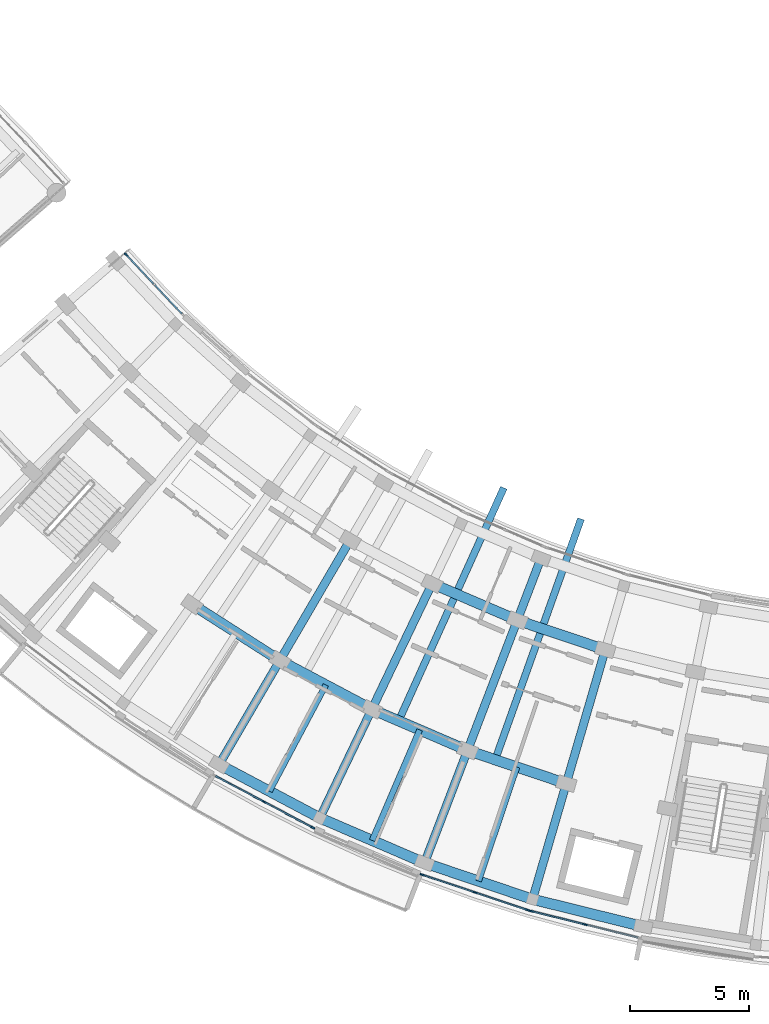
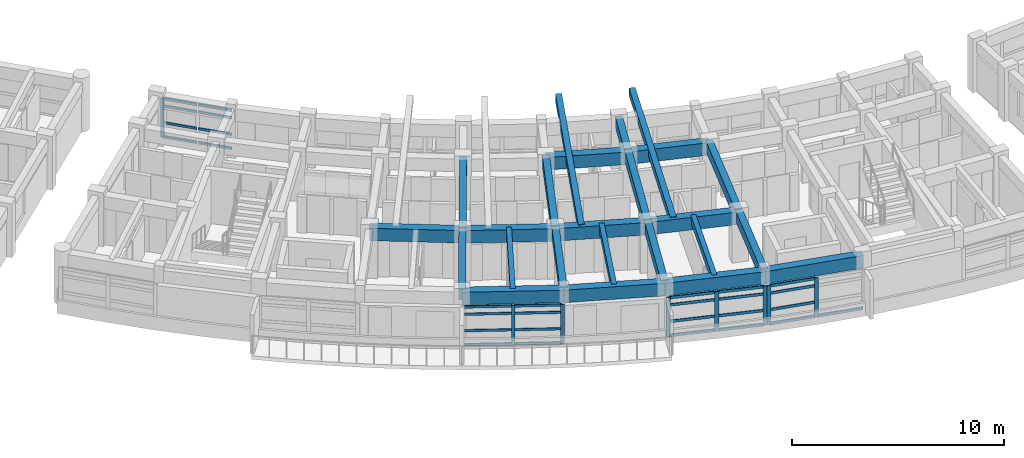
# One storey, part 11 of 55: 37 members, 24 beams, 4 elements without a shape of their own.
"""IFC4 building model written with IfcOpenShell, lengths in metres."""

import ifcopenshell
import ifcopenshell.guid

model = None  # the IFC model being written
_history = None  # IfcOwnerHistory: only IFC2X3 demands one
_inside = {}  # id of a spatial element -> (the spatial element, [elements in it])
_under = {}  # id of a project, library or spatial element -> (it, [spatial elements below it])
_declared = {}  # id of a project -> (the project, [libraries it declares])
_typed = {}  # id of a type object -> (the type object, [elements of that type])
_made_of = {}  # id of a material, layer set ... -> (it, [elements and type objects made of it])


def new_model(schema):
    """Start an empty IFC model of exactly this schema.

    Asked for "IFC4X3", IfcOpenShell would pick the latest addendum, in which some entities
    have other attributes; the version numbers below select the first issue.
    IFC2X3 requires an IfcOwnerHistory on every rooted entity: one is made here for all.
    """
    global model, _history
    if schema == "IFC4X3":
        model = ifcopenshell.file(schema_version=(4, 3, 0, 0))
    else:
        model = ifcopenshell.file(schema=schema)
    _inside.clear()
    _under.clear()
    _declared.clear()
    _typed.clear()
    _made_of.clear()
    _history = None
    if model.schema == "IFC2X3":
        org = make("IfcOrganization", Name="unknown")
        user = make(
            "IfcPersonAndOrganization",
            ThePerson=make("IfcPerson", FamilyName="unknown"),
            TheOrganization=org,
        )
        app = make(
            "IfcApplication",
            ApplicationDeveloper=org,
            Version="unknown",
            ApplicationFullName="unknown",
            ApplicationIdentifier="unknown",
        )
        _history = make(
            "IfcOwnerHistory",
            OwningUser=user,
            OwningApplication=app,
            ChangeAction="ADDED",
            CreationDate=0,
        )
    return model


def make(cls, **values):
    """One entity of the class cls with the attributes given. An attribute that is None is left unset."""
    return model.create_entity(
        cls, **{name: value for name, value in values.items() if value is not None}
    )


def rooted(cls, **values):
    """An entity with a GlobalId (a new one), such as an element, a storey or a relation."""
    return make(cls, GlobalId=ifcopenshell.guid.new(), OwnerHistory=_history, **values)


def si_unit(unit_type, name, prefix=None):
    """IfcSIUnit, for example si_unit("LENGTHUNIT", "METRE", prefix="MILLI")."""
    return make("IfcSIUnit", UnitType=unit_type, Prefix=prefix, Name=name)


def assignment(units):
    """IfcUnitAssignment: the units of a project."""
    return None if units is None else make("IfcUnitAssignment", Units=units)


def point(xyz):
    """IfcCartesianPoint."""
    return None if xyz is None else make("IfcCartesianPoint", Coordinates=xyz)


def direction(xyz):
    """IfcDirection."""
    return None if xyz is None else make("IfcDirection", DirectionRatios=xyz)


def frame(location, z_axis=None, x_axis=None):
    """IfcAxis2Placement3D, a coordinate frame: its origin and axes. An axis left out is left unset."""
    return make(
        "IfcAxis2Placement3D",
        Location=point(location),
        Axis=direction(z_axis),
        RefDirection=direction(x_axis),
    )


def frame_2d(location, x_axis=None):
    """IfcAxis2Placement2D, a coordinate frame in the plane: its origin and x axis."""
    return make(
        "IfcAxis2Placement2D", Location=point(location), RefDirection=direction(x_axis)
    )


def origin():
    """The frame at (0, 0, 0) with its axes left unset."""
    return frame((0.0, 0.0, 0.0))


def origin_2d():
    """The frame at (0, 0) in the plane with its x axis left unset."""
    return frame_2d((0.0, 0.0))


def place(relative_to, where):
    """IfcLocalPlacement: puts the frame where relative to a parent placement (None: the world)."""
    return make(
        "IfcLocalPlacement", PlacementRelTo=relative_to, RelativePlacement=where
    )


def context(
    kind, dimensions, precision=None, world=None, true_north=None, identifier=None
):
    """IfcGeometricRepresentationContext, for example the 3D "Model" context."""
    return make(
        "IfcGeometricRepresentationContext",
        ContextIdentifier=identifier,
        ContextType=kind,
        CoordinateSpaceDimension=dimensions,
        Precision=precision,
        WorldCoordinateSystem=world,
        TrueNorth=true_north,
    )


def subcontext(parent, identifier, kind, view, scale=None):
    """IfcGeometricRepresentationSubContext, for example "Body" below "Model"."""
    return make(
        "IfcGeometricRepresentationSubContext",
        ContextIdentifier=identifier,
        ContextType=kind,
        ParentContext=parent,
        TargetScale=scale,
        TargetView=view,
    )


def project(units=None, contexts=None):
    """IfcProject with its units and contexts."""
    return rooted(
        "IfcProject",
        Name="project",
        RepresentationContexts=contexts,
        UnitsInContext=assignment(units),
    )


def spatial(cls, under=None, at=None, **own):
    """A site, building, storey or space (cls), placed at a placement, below another one or the project."""
    s = rooted(cls, ObjectPlacement=at, **own)
    if under is not None:
        _under.setdefault(under.id(), (under, []))[1].append(s)
    return s


def profile(cls, at=None, kind="AREA", **sizes):
    """A parametric profile (cls). Its sizes go by their IFC names, for example OverallWidth=200.0."""
    return make(cls, ProfileType=kind, Position=at, **sizes)


def rectangle(**sizes):
    """IfcRectangleProfileDef."""
    return profile("IfcRectangleProfileDef", **sizes)


def extrude(swept, where, along, depth):
    """IfcExtrudedAreaSolid: the profile swept, set in the frame where, extruded along a direction by depth."""
    return make(
        "IfcExtrudedAreaSolid",
        SweptArea=swept,
        Position=where,
        ExtrudedDirection=direction(along),
        Depth=depth,
    )


def shape(context_of_items, identifier, shape_type, items):
    """IfcShapeRepresentation: the items that make up one representation, for example the "Body"."""
    return make(
        "IfcShapeRepresentation",
        ContextOfItems=context_of_items,
        RepresentationIdentifier=identifier,
        RepresentationType=shape_type,
        Items=items,
    )


def material(Name=None, Category=None):
    """IfcMaterial."""
    return make("IfcMaterial", Name=Name, Category=Category)


def material_profile(
    of_material, cross_section, Name=None, Category=None, Priority=None
):
    """IfcMaterialProfile: a cross section and its material."""
    return make(
        "IfcMaterialProfile",
        Name=Name,
        Material=of_material,
        Profile=cross_section,
        Priority=Priority,
        Category=Category,
    )


def profile_set(profiles, Name=None, composite=None):
    """IfcMaterialProfileSet."""
    return make(
        "IfcMaterialProfileSet",
        Name=Name,
        MaterialProfiles=profiles,
        CompositeProfile=composite,
    )


def made_of(thing, what):
    """Note that an element or type object is made of a material, layer set ...; save() writes the relation."""
    if what is not None:
        _made_of.setdefault(what.id(), (what, []))[1].append(thing)
    return thing


def type_object(cls, material=None, **own):
    """A type object (cls), such as IfcWallType, which elements share."""
    return made_of(rooted(cls, **own), material)


def element(
    cls,
    number,
    at=None,
    inside=None,
    cuts=None,
    type_object=None,
    material=None,
    context=None,
    identifier="Body",
    shape_type=None,
    held_by="IfcProductDefinitionShape",
    body=None,
    shapes=None,
    **own,
):
    """One element of the class cls, such as IfcWall. Its Tag is "e" and its number.

    at: its placement. inside: the storey or other place that contains it. cuts: it is an
    opening in that element (IfcRelVoidsElement). A single representation is given by context,
    identifier, shape_type and body (its items); several are given by shapes. held_by: the class
    of the entity that holds the representations. save() writes the other relations.
    """
    e = rooted(cls, Tag="e%d" % number, ObjectPlacement=at, **own)
    if body is not None:
        shapes = [shape(context, identifier, shape_type, body)]
    if shapes is not None:
        e.Representation = make(held_by, Representations=shapes)
    if inside is not None:
        _inside.setdefault(inside.id(), (inside, []))[1].append(e)
    if cuts is not None:
        rooted(
            "IfcRelVoidsElement", RelatingBuildingElement=cuts, RelatedOpeningElement=e
        )
    if type_object is not None:
        _typed.setdefault(type_object.id(), (type_object, []))[1].append(e)
    return made_of(e, material)


def aggregate(whole, parts):
    """IfcRelAggregates: a whole, such as a stair, and the parts it consists of."""
    return rooted("IfcRelAggregates", RelatingObject=whole, RelatedObjects=parts)


def save(model, path):
    """Write the relations noted so far, then the file.

    IfcRelAggregates (storeys below a building ...), IfcRelContainedInSpatialStructure (elements
    in a storey), IfcRelDefinesByType, IfcRelAssociatesMaterial and IfcRelDeclares: one each for
    every whole, place, type object, material and project.
    """
    for whole, parts in _under.values():
        aggregate(whole, parts)
    for where, things in _inside.values():
        rooted(
            "IfcRelContainedInSpatialStructure",
            RelatedElements=things,
            RelatingStructure=where,
        )
    for kind, things in _typed.values():
        rooted("IfcRelDefinesByType", RelatedObjects=things, RelatingType=kind)
    for what, things in _made_of.values():
        rooted("IfcRelAssociatesMaterial", RelatedObjects=things, RelatingMaterial=what)
    for by, libraries in _declared.values():
        rooted("IfcRelDeclares", RelatingContext=by, RelatedDefinitions=libraries)
    model.write(path)


model = new_model("IFC4")

# Units and contexts
model_context = context("Model", 3, precision=1e-05, world=origin(), true_north=direction((0.0, 1.0)))
body_context = subcontext(model_context, "Body", "Model", "MODEL_VIEW")
ifc_project = project(units=[si_unit("LENGTHUNIT", "METRE"), si_unit("AREAUNIT", "SQUARE_METRE"), si_unit("VOLUMEUNIT", "CUBIC_METRE"), si_unit("PLANEANGLEUNIT", "RADIAN"), si_unit("MASSUNIT", "GRAM", prefix="KILO")], contexts=[model_context])

# Site, building, storey
site_placement = place(None, origin())
site = spatial("IfcSite", under=ifc_project, at=site_placement, CompositionType="ELEMENT")
building_placement = place(site_placement, origin())
building = spatial("IfcBuilding", under=site, at=building_placement, Name="Zimvara Arc Housing Community", CompositionType="ELEMENT")
storey_placement = place(building_placement, frame((0.0, 0.0, 14.300048828125)))
storey = spatial("IfcBuildingStorey", under=building, at=storey_placement, Name="L04", CompositionType="ELEMENT", Elevation=14.300048828125)

# Beams
ifc_material_1 = material(Name="Concrete C40/50", Category="concrete")
ifc_material_profile_1 = material_profile(ifc_material_1, rectangle(XDim=0.25, YDim=0.449951171875, at=origin_2d()), Name="RC 250x450")
ifc_profile_set_1 = profile_set([ifc_material_profile_1], Name="Concrete C40/50")
beam_type_1 = type_object("IfcBeamType", Name="BM-RC-250x450", PredefinedType="JOIST", material=ifc_profile_set_1)
for number, where, z_axis, x_axis, name in (
    (1, (100.793212890625, 62.37060546875, 2.635009765625), (-0.46853732736, -0.883443701019, 0.0), (0.883443701019, -0.46853732736, 0.0), "bm:blkC:L04:joist:b4"),
    (2, (104.751953125, 60.473876953125, 2.635009765625), (-0.394946561353, -0.918704094731, 0.0), (0.918704094731, -0.394946561353, 0.0), "bm:blkC:L04:joist:b5"),
    (3, (108.85205078125, 58.906494140625, 2.635009765625), (-0.318622196545, -0.947881794249, 0.0), (0.947881794249, -0.318622196545, 0.0), "bm:blkC:L04:joist:b6"),
):
    element("IfcBeam", number, at=place(storey_placement, frame(where, z_axis=z_axis, x_axis=x_axis)), inside=storey, type_object=beam_type_1, Name=name, PredefinedType="JOIST", context=body_context, shape_type="SweptSolid", body=[
        extrude(rectangle(XDim=0.25, YDim=0.449951171875, at=origin_2d()), origin(), (0.0, 0.0, 1.0), 5.07568359375),
    ])
ifc_material_2 = material(Name="Concrete C40/50", Category="concrete")
ifc_material_profile_2 = material_profile(ifc_material_2, rectangle(XDim=0.300048828125, YDim=0.449951171875, at=origin_2d()), Name="RC 300x450")
ifc_profile_set_2 = profile_set([ifc_material_profile_2], Name="Concrete C40/50")
beam_type_2 = type_object("IfcBeamType", Name="BM-RC-300x450", PredefinedType="JOIST", material=ifc_profile_set_2)
for number, where, z_axis, x_axis, name in (
    (4, (103.849365234375, 60.822509765625, 2.6650390625), (0.411363625236, 0.911471320357, 0.0), (-0.911471320357, 0.411363625236, 0.0), "bm:blkC:L04:cant_in:b5"),
    (5, (107.92431640625, 59.180419921875, 2.6650390625), (0.335595863833, 0.942006059523, 0.0), (-0.942006059523, 0.335595863833, 0.0), "bm:blkC:L04:cant_in:b6"),
):
    element("IfcBeam", number, at=place(storey_placement, frame(where, z_axis=z_axis, x_axis=x_axis)), inside=storey, type_object=beam_type_2, Name=name, PredefinedType="JOIST", context=body_context, shape_type="SweptSolid", body=[
        extrude(rectangle(XDim=0.300048828125, YDim=0.449951171875, at=origin_2d()), origin(), (0.0, 0.0, 1.0), 10.81982421875),
    ])
ifc_material_3 = material(Name="Concrete C40/50", Category="concrete")
ifc_material_profile_3 = material_profile(ifc_material_3, rectangle(XDim=0.35009765625, YDim=0.60009765625, at=origin_2d()), Name="RC 350x600")
ifc_profile_set_3 = profile_set([ifc_material_profile_3], Name="Concrete C40/50")
beam_type_3 = type_object("IfcBeamType", Name="BM-RC-350x600", PredefinedType="BEAM", material=ifc_profile_set_3)
beam_1_placement = place(storey_placement, frame((101.8173828125, 68.4775390625, 2.56005859375), z_axis=(-0.504237574462, -0.863564976421, 0.0), x_axis=(0.863564976421, -0.504237574462, 0.0)))
element("IfcBeam", 6, at=beam_1_placement, inside=storey, type_object=beam_type_3, Name="bm:blkC:L04:rad:b4:r12", PredefinedType="BEAM", context=body_context, shape_type="SweptSolid", body=[
    extrude(rectangle(XDim=0.35009765625, YDim=0.60009765625, at=origin_2d()), origin(), (0.0, 0.0, 1.0), 5.8798828125),
])
beam_2_placement = place(storey_placement, frame((98.8525390625, 63.39990234375, 2.56005859375), z_axis=(-0.504196701544, -0.863588840915, 0.0), x_axis=(0.863588840915, -0.504196701544, 0.0)))
element("IfcBeam", 7, at=beam_2_placement, inside=storey, type_object=beam_type_3, Name="bm:blkC:L04:rad:b4:r23", PredefinedType="BEAM", context=body_context, shape_type="SweptSolid", body=[
    extrude(rectangle(XDim=0.35009765625, YDim=0.60009765625, at=origin_2d()), origin(), (0.0, 0.0, 1.0), 5.079833984375),
])
beam_3_placement = place(storey_placement, frame((105.2744140625, 66.644287109375, 2.56005859375), z_axis=(-0.432053349188, -0.901848048983, 0.0), x_axis=(0.901848048983, -0.432053349188, 0.0)))
element("IfcBeam", 8, at=beam_3_placement, inside=storey, type_object=beam_type_3, Name="bm:blkC:L04:rad:b5:r12", PredefinedType="BEAM", context=body_context, shape_type="SweptSolid", body=[
    extrude(rectangle(XDim=0.35009765625, YDim=0.60009765625, at=origin_2d()), origin(), (0.0, 0.0, 1.0), 5.880126953125),
])
beam_4_placement = place(storey_placement, frame((102.73388671875, 61.34130859375, 2.56005859375), z_axis=(-0.432098194978, -0.901826563091, 0.0), x_axis=(0.901826563091, -0.432098194978, 0.0)))
element("IfcBeam", 9, at=beam_4_placement, inside=storey, type_object=beam_type_3, Name="bm:blkC:L04:rad:b5:r23", PredefinedType="BEAM", context=body_context, shape_type="SweptSolid", body=[
    extrude(rectangle(XDim=0.35009765625, YDim=0.60009765625, at=origin_2d()), origin(), (0.0, 0.0, 1.0), 5.080078125),
])
beam_5_placement = place(storey_placement, frame((109.869384765625, 67.71435546875, 2.56005859375), z_axis=(-0.357126279724, -0.934056111982, 0.0), x_axis=(0.934056111982, -0.357126279724, 0.0)))
element("IfcBeam", 10, at=beam_5_placement, inside=storey, type_object=beam_type_3, Name="bm:blkC:L04:rad:b6:r01", PredefinedType="BEAM", context=body_context, shape_type="SweptSolid", body=[
    extrude(rectangle(XDim=0.35009765625, YDim=0.60009765625, at=origin_2d()), origin(), (0.0, 0.0, 1.0), 2.800048828125),
])
beam_6_placement = place(storey_placement, frame((108.869384765625, 65.098876953125, 2.56005859375), z_axis=(-0.357036247742, -0.934090529766, 0.0), x_axis=(0.934090529766, -0.357036247742, 0.0)))
element("IfcBeam", 11, at=beam_6_placement, inside=storey, type_object=beam_type_3, Name="bm:blkC:L04:rad:b6:r12", PredefinedType="BEAM", context=body_context, shape_type="SweptSolid", body=[
    extrude(rectangle(XDim=0.35009765625, YDim=0.60009765625, at=origin_2d()), origin(), (0.0, 0.0, 1.0), 5.8798828125),
])
beam_7_placement = place(storey_placement, frame((106.77001953125, 59.6064453125, 2.56005859375), z_axis=(-0.357078271386, -0.934074466038, 0.0), x_axis=(0.934074466038, -0.357078271386, 0.0)))
element("IfcBeam", 12, at=beam_7_placement, inside=storey, type_object=beam_type_3, Name="bm:blkC:L04:rad:b6:r23", PredefinedType="BEAM", context=body_context, shape_type="SweptSolid", body=[
    extrude(rectangle(XDim=0.35009765625, YDim=0.60009765625, at=origin_2d()), origin(), (0.0, 0.0, 1.0), 5.080078125),
])
beam_8_placement = place(storey_placement, frame((112.57861328125, 63.85205078125, 2.56005859375), z_axis=(-0.27964761269, -0.960102709462, 0.0), x_axis=(0.960102709462, -0.27964761269, 0.0)))
element("IfcBeam", 13, at=beam_8_placement, inside=storey, type_object=beam_type_3, Name="bm:blkC:L04:rad:b7:r12", PredefinedType="BEAM", context=body_context, shape_type="SweptSolid", body=[
    extrude(rectangle(XDim=0.35009765625, YDim=0.60009765625, at=origin_2d()), origin(), (0.0, 0.0, 1.0), 5.8798828125),
])
beam_9_placement = place(storey_placement, frame((110.934326171875, 58.206787109375, 2.56005859375), z_axis=(-0.279693649113, -0.960089299308, 0.0), x_axis=(0.960089299308, -0.279693649113, 0.0)))
element("IfcBeam", 14, at=beam_9_placement, inside=storey, type_object=beam_type_3, Name="bm:blkC:L04:rad:b7:r23", PredefinedType="BEAM", context=body_context, shape_type="SweptSolid", body=[
    extrude(rectangle(XDim=0.35009765625, YDim=0.60009765625, at=origin_2d()), origin(), (0.0, 0.0, 1.0), 5.080078125),
])
ifc_material_4 = material(Name="Concrete C40/50", Category="concrete")
ifc_material_profile_4 = material_profile(ifc_material_4, rectangle(XDim=0.43994140625, YDim=0.719970703125, at=origin_2d()), Name="RC 440x720")
ifc_profile_set_4 = profile_set([ifc_material_profile_4], Name="Concrete C40/50")
beam_type_4 = type_object("IfcBeamType", Name="BM-RC-440x720", PredefinedType="BEAM", material=ifc_profile_set_4)
for number, where, z_axis, x_axis, name in (
    (15, (105.2744140625, 66.644287109375, 2.5), (0.918708805961, -0.394935602155, 0.0), (0.394935602155, 0.918708805961, 0.0), "bm:blkC:L04:chord:r1:b5"),
    (16, (108.869384765625, 65.098876953125, 2.5), (0.947881689069, -0.31862250945, 0.0), (0.31862250945, 0.947881689069, 0.0), "bm:blkC:L04:chord:r1:b6"),
):
    element("IfcBeam", number, at=place(storey_placement, frame(where, z_axis=z_axis, x_axis=x_axis)), inside=storey, type_object=beam_type_4, Name=name, PredefinedType="BEAM", context=body_context, shape_type="SweptSolid", body=[
        extrude(rectangle(XDim=0.43994140625, YDim=0.719970703125, at=origin_2d()), origin(), (0.0, 0.0, 1.0), 3.9130859375),
    ])
beam_10_placement = place(storey_placement, frame((95.15234375, 65.76806640625, 2.5), z_axis=(0.842267363538, -0.539060004376, 0.0), x_axis=(0.539060004376, 0.842267363538, 0.0)))
element("IfcBeam", 17, at=beam_10_placement, inside=storey, type_object=beam_type_4, Name="bm:blkC:L04:chord:r2:b3", PredefinedType="BEAM", context=body_context, shape_type="SweptSolid", body=[
    extrude(rectangle(XDim=0.43994140625, YDim=0.719970703125, at=origin_2d()), origin(), (0.0, 0.0, 1.0), 4.39306640625),
])
beam_11_placement = place(storey_placement, frame((98.8525390625, 63.39990234375, 2.5), z_axis=(0.883433524437, -0.468556515162, 0.0), x_axis=(0.468556515162, 0.883433524437, 0.0)))
element("IfcBeam", 18, at=beam_11_placement, inside=storey, type_object=beam_type_4, Name="bm:blkC:L04:chord:r2:b4", PredefinedType="BEAM", context=body_context, shape_type="SweptSolid", body=[
    extrude(rectangle(XDim=0.43994140625, YDim=0.719970703125, at=origin_2d()), origin(), (0.0, 0.0, 1.0), 4.3935546875),
])
for number, where, z_axis, x_axis, name in (
    (19, (102.73388671875, 61.34130859375, 2.5), (0.918724840088, -0.394898301093, 0.0), (0.394898301093, 0.918724840088, 0.0), "bm:blkC:L04:chord:r2:b5"),
    (20, (106.77001953125, 59.6064453125, 2.5), (0.947891222174, -0.318594147665, 0.0), (0.318594147665, 0.947891222174, 0.0), "bm:blkC:L04:chord:r2:b6"),
):
    element("IfcBeam", number, at=place(storey_placement, frame(where, z_axis=z_axis, x_axis=x_axis)), inside=storey, type_object=beam_type_4, Name=name, PredefinedType="BEAM", context=body_context, shape_type="SweptSolid", body=[
        extrude(rectangle(XDim=0.43994140625, YDim=0.719970703125, at=origin_2d()), origin(), (0.0, 0.0, 1.0), 4.393310546875),
    ])
for number, where, z_axis, x_axis, name in (
    (21, (96.291259765625, 59.012939453125, 2.5), (0.883424523434, -0.468573485587, 0.0), (0.468573485587, 0.883424523434, 0.0), "bm:blkC:L04:chord:r3:b4"),
    (22, (100.538818359375, 56.760009765625, 2.5), (0.918724276228, -0.394899612901, 0.0), (0.394899612901, 0.918724276228, 0.0), "bm:blkC:L04:chord:r3:b5"),
):
    element("IfcBeam", number, at=place(storey_placement, frame(where, z_axis=z_axis, x_axis=x_axis)), inside=storey, type_object=beam_type_4, Name=name, PredefinedType="BEAM", context=body_context, shape_type="SweptSolid", body=[
        extrude(rectangle(XDim=0.43994140625, YDim=0.719970703125, at=origin_2d()), origin(), (0.0, 0.0, 1.0), 4.80810546875),
    ])
beam_12_placement = place(storey_placement, frame((104.9560546875, 54.861328125, 2.5), z_axis=(0.947877948153, -0.31863363822, 0.0), x_axis=(0.31863363822, 0.947877948153, 0.0)))
element("IfcBeam", 23, at=beam_12_placement, inside=storey, type_object=beam_type_4, Name="bm:blkC:L04:chord:r3:b6", PredefinedType="BEAM", context=body_context, shape_type="SweptSolid", body=[
    extrude(rectangle(XDim=0.43994140625, YDim=0.719970703125, at=origin_2d()), origin(), (0.0, 0.0, 1.0), 4.807861328125),
])
beam_13_placement = place(storey_placement, frame((109.513427734375, 53.329345703125, 2.5), z_axis=(0.970719165502, -0.240217196986, 0.0), x_axis=(0.240217196986, 0.970719165502, 0.0)))
element("IfcBeam", 24, at=beam_13_placement, inside=storey, type_object=beam_type_4, Name="bm:blkC:L04:chord:r3:b7", PredefinedType="BEAM", context=body_context, shape_type="SweptSolid", body=[
    extrude(rectangle(XDim=0.43994140625, YDim=0.719970703125, at=origin_2d()), origin(), (0.0, 0.0, 1.0), 4.808349609375),
])

# Curtain wall, member
ifc_material_5 = material(Name="Anodised Aluminium AW-6063", Category="aluminium")
curtain_wall_type_1 = type_object("IfcCurtainWallType", Name="CW-SYS-02", PredefinedType="USERDEFINED", material=ifc_material_5)
curtain_wall_1_placement = place(storey_placement, origin())
curtain_wall_1 = element("IfcCurtainWall", 25, at=curtain_wall_1_placement, inside=storey, type_object=curtain_wall_type_1, Name="cw:blkC:L04:in:b0", ObjectType="CURTAIN WALL", PredefinedType="USERDEFINED")
ifc_material_6 = material(Name="Anodised Aluminium AW-6063", Category="aluminium")
ifc_material_profile_5 = material_profile(ifc_material_6, rectangle(XDim=0.06494140625, YDim=0.179931640625, at=origin_2d()), Name="ALU 65x180")
ifc_profile_set_5 = profile_set([ifc_material_profile_5], Name="Anodised Aluminium AW-6063")
member_type_1 = type_object("IfcMemberType", Name="CWM-65x150", PredefinedType="MULLION", material=ifc_profile_set_5)
member_1_placement = place(storey_placement, frame((92.368408203125, 80.519287109375, 0.0), z_axis=(0.0, 0.0, 1.0), x_axis=(0.727293280483, 0.686326805658, 0.0)))
member_1 = element("IfcMember", 26, at=member_1_placement, type_object=member_type_1, Name="CW02 mullion 1", PredefinedType="MULLION", context=body_context, shape_type="SweptSolid", body=[
    extrude(rectangle(XDim=0.06494140625, YDim=0.179931640625, at=origin_2d()), origin(), (0.0, 0.0, 1.0), 2.25),
])

# Curtain wall, members
ifc_material_7 = material(Name="Anodised Aluminium AW-6063", Category="aluminium")
curtain_wall_type_2 = type_object("IfcCurtainWallType", Name="CW-SYS-06", PredefinedType="USERDEFINED", material=ifc_material_7)
curtain_wall_2_placement = place(storey_placement, origin())
curtain_wall_2 = element("IfcCurtainWall", 27, at=curtain_wall_2_placement, inside=storey, type_object=curtain_wall_type_2, Name="cw:blkC:L04:out:b4", ObjectType="CURTAIN WALL", PredefinedType="USERDEFINED")
member_2_placement = place(storey_placement, frame((98.180908203125, 57.445068359375, 0.0), z_axis=(0.0, 0.0, 1.0), x_axis=(0.468546917761, 0.883438614651, 0.0)))
member_2 = element("IfcMember", 28, at=member_2_placement, type_object=member_type_1, Name="CW06 mullion 2", PredefinedType="MULLION", context=body_context, shape_type="SweptSolid", body=[
    extrude(rectangle(XDim=0.06494140625, YDim=0.179931640625, at=origin_2d()), origin(), (0.0, 0.0, 1.0), 2.25),
])
member_3_placement = place(storey_placement, frame((100.240966796875, 56.3525390625, 0.0), z_axis=(0.0, 0.0, 1.0), x_axis=(0.468546917761, 0.883438614651, 0.0)))
member_3 = element("IfcMember", 29, at=member_3_placement, type_object=member_type_1, Name="CW06 mullion 3", PredefinedType="MULLION", context=body_context, shape_type="SweptSolid", body=[
    extrude(rectangle(XDim=0.06494140625, YDim=0.179931640625, at=origin_2d()), origin(), (0.0, 0.0, 1.0), 2.25),
])

ifc_material_8 = material(Name="Anodised Aluminium AW-6063", Category="aluminium")
curtain_wall_type_3 = type_object("IfcCurtainWallType", Name="CW-SYS-01", PredefinedType="USERDEFINED", material=ifc_material_8)
curtain_wall_3_placement = place(storey_placement, origin())
curtain_wall_3 = element("IfcCurtainWall", 30, at=curtain_wall_3_placement, inside=storey, type_object=curtain_wall_type_3, Name="cw:blkC:L04:out:b6", ObjectType="CURTAIN WALL", PredefinedType="USERDEFINED")
ifc_material_9 = material(Name="Anodised Aluminium AW-6063", Category="aluminium")
ifc_material_profile_6 = material_profile(ifc_material_9, rectangle(XDim=0.06494140625, YDim=0.195068359375, at=origin_2d()), Name="ALU 65x195")
ifc_profile_set_6 = profile_set([ifc_material_profile_6], Name="Anodised Aluminium AW-6063")
member_type_2 = type_object("IfcMemberType", Name="CWM-65x180", PredefinedType="MULLION", material=ifc_profile_set_6)
member_4_placement = place(storey_placement, frame((104.865234375, 54.36474609375, 0.0), z_axis=(0.0, 0.0, 1.0), x_axis=(0.318628583921, 0.947879647164, 0.0)))
member_4 = element("IfcMember", 31, at=member_4_placement, type_object=member_type_2, Name="CW01 mullion 1", PredefinedType="MULLION", context=body_context, shape_type="SweptSolid", body=[
    extrude(rectangle(XDim=0.06494140625, YDim=0.195068359375, at=origin_2d()), origin(), (0.0, 0.0, 1.0), 2.25),
])
member_5_placement = place(storey_placement, frame((107.07568359375, 53.621826171875, 0.0), z_axis=(0.0, 0.0, 1.0), x_axis=(0.318628583921, 0.947879647164, 0.0)))
member_5 = element("IfcMember", 32, at=member_5_placement, type_object=member_type_2, Name="CW01 mullion 2", PredefinedType="MULLION", context=body_context, shape_type="SweptSolid", body=[
    extrude(rectangle(XDim=0.06494140625, YDim=0.195068359375, at=origin_2d()), origin(), (0.0, 0.0, 1.0), 2.25),
])
member_6_placement = place(storey_placement, frame((109.2861328125, 52.87890625, 0.0), z_axis=(0.0, 0.0, 1.0), x_axis=(0.318628583921, 0.947879647164, 0.0)))
member_6 = element("IfcMember", 33, at=member_6_placement, type_object=member_type_2, Name="CW01 mullion 3", PredefinedType="MULLION", context=body_context, shape_type="SweptSolid", body=[
    extrude(rectangle(XDim=0.06494140625, YDim=0.195068359375, at=origin_2d()), origin(), (0.0, 0.0, 1.0), 2.25),
])

ifc_material_10 = material(Name="Anodised Aluminium AW-6063", Category="aluminium")
curtain_wall_type_4 = type_object("IfcCurtainWallType", Name="CW-SYS-03", PredefinedType="USERDEFINED", material=ifc_material_10)
curtain_wall_4_placement = place(storey_placement, origin())
curtain_wall_4 = element("IfcCurtainWall", 34, at=curtain_wall_4_placement, inside=storey, type_object=curtain_wall_type_4, Name="cw:blkC:L04:out:b7", ObjectType="CURTAIN WALL", PredefinedType="USERDEFINED")
member_7_placement = place(storey_placement, frame((109.46337890625, 52.8271484375, 0.0), z_axis=(0.0, 0.0, 1.0), x_axis=(0.240229711131, 0.970716068627, 0.0)))
member_7 = element("IfcMember", 35, at=member_7_placement, type_object=member_type_2, Name="CW03 mullion 1", PredefinedType="MULLION", context=body_context, shape_type="SweptSolid", body=[
    extrude(rectangle(XDim=0.06494140625, YDim=0.195068359375, at=origin_2d()), origin(), (0.0, 0.0, 1.0), 2.25),
])
member_8_placement = place(storey_placement, frame((111.72705078125, 52.266845703125, 0.0), z_axis=(0.0, 0.0, 1.0), x_axis=(0.240229711131, 0.970716068627, 0.0)))
member_8 = element("IfcMember", 36, at=member_8_placement, type_object=member_type_2, Name="CW03 mullion 2", PredefinedType="MULLION", context=body_context, shape_type="SweptSolid", body=[
    extrude(rectangle(XDim=0.06494140625, YDim=0.195068359375, at=origin_2d()), origin(), (0.0, 0.0, 1.0), 2.25),
])

# Member
ifc_material_11 = material(Name="Anodised Aluminium AW-6063", Category="aluminium")
ifc_material_profile_7 = material_profile(ifc_material_11, rectangle(XDim=0.06494140625, YDim=0.139892578125, at=origin_2d()), Name="ALU 65x140")
ifc_profile_set_7 = profile_set([ifc_material_profile_7], Name="Anodised Aluminium AW-6063")
member_type_3 = type_object("IfcMemberType", Name="CWT-65x120", PredefinedType="USERDEFINED", material=ifc_profile_set_7)
member_9_placement = place(storey_placement, frame((92.390625, 80.495849609375, 0.032470703125), z_axis=(0.686347817597, -0.727273451516, 0.0), x_axis=(0.727273451516, 0.686347817597, 0.0)))
member_9 = element("IfcMember", 37, at=member_9_placement, type_object=member_type_3, Name="CW02 transom 1.1", ObjectType="TRANSOM", PredefinedType="USERDEFINED", context=body_context, shape_type="SweptSolid", body=[
    extrude(rectangle(XDim=0.06494140625, YDim=0.139892578125, at=origin_2d()), origin(), (0.0, 0.0, 1.0), 1.664306640625),
])

member_10_placement = place(storey_placement, frame((92.390625, 80.495849609375, 0.849853515625), z_axis=(0.686347817597, -0.727273451516, 0.0), x_axis=(0.727273451516, 0.686347817597, 0.0)))
member_10 = element("IfcMember", 38, at=member_10_placement, type_object=member_type_3, Name="CW02 transom 1.2", ObjectType="TRANSOM", PredefinedType="USERDEFINED", context=body_context, shape_type="SweptSolid", body=[
    extrude(rectangle(XDim=0.06494140625, YDim=0.139892578125, at=origin_2d()), origin(), (0.0, 0.0, 1.0), 1.664306640625),
])

member_11_placement = place(storey_placement, frame((92.390625, 80.495849609375, 1.800048828125), z_axis=(0.686347817597, -0.727273451516, 0.0), x_axis=(0.727273451516, 0.686347817597, 0.0)))
member_11 = element("IfcMember", 39, at=member_11_placement, type_object=member_type_3, Name="CW02 transom 1.3", ObjectType="TRANSOM", PredefinedType="USERDEFINED", context=body_context, shape_type="SweptSolid", body=[
    extrude(rectangle(XDim=0.06494140625, YDim=0.139892578125, at=origin_2d()), origin(), (0.0, 0.0, 1.0), 1.664306640625),
])

member_12_placement = place(storey_placement, frame((92.390625, 80.495849609375, 2.217529296875), z_axis=(0.686347817597, -0.727273451516, 0.0), x_axis=(0.727273451516, 0.686347817597, 0.0)))
member_12 = element("IfcMember", 40, at=member_12_placement, type_object=member_type_3, Name="CW02 transom 1.4", ObjectType="TRANSOM", PredefinedType="USERDEFINED", context=body_context, shape_type="SweptSolid", body=[
    extrude(rectangle(XDim=0.06494140625, YDim=0.139892578125, at=origin_2d()), origin(), (0.0, 0.0, 1.0), 1.664306640625),
])

member_13_placement = place(storey_placement, frame((93.57763671875, 79.238037109375, 0.032470703125), z_axis=(0.686270219286, -0.727346675335, 0.0), x_axis=(0.727346675335, 0.686270219286, 0.0)))
member_13 = element("IfcMember", 41, at=member_13_placement, type_object=member_type_3, Name="CW02 transom 2.1", ObjectType="TRANSOM", PredefinedType="USERDEFINED", context=body_context, shape_type="SweptSolid", body=[
    extrude(rectangle(XDim=0.06494140625, YDim=0.139892578125, at=origin_2d()), origin(), (0.0, 0.0, 1.0), 1.664306640625),
])

member_14_placement = place(storey_placement, frame((93.57763671875, 79.238037109375, 0.849853515625), z_axis=(0.686270219286, -0.727346675335, 0.0), x_axis=(0.727346675335, 0.686270219286, 0.0)))
member_14 = element("IfcMember", 42, at=member_14_placement, type_object=member_type_3, Name="CW02 transom 2.2", ObjectType="TRANSOM", PredefinedType="USERDEFINED", context=body_context, shape_type="SweptSolid", body=[
    extrude(rectangle(XDim=0.06494140625, YDim=0.139892578125, at=origin_2d()), origin(), (0.0, 0.0, 1.0), 1.664306640625),
])

member_15_placement = place(storey_placement, frame((93.57763671875, 79.238037109375, 1.800048828125), z_axis=(0.686270219286, -0.727346675335, 0.0), x_axis=(0.727346675335, 0.686270219286, 0.0)))
member_15 = element("IfcMember", 43, at=member_15_placement, type_object=member_type_3, Name="CW02 transom 2.3", ObjectType="TRANSOM", PredefinedType="USERDEFINED", context=body_context, shape_type="SweptSolid", body=[
    extrude(rectangle(XDim=0.06494140625, YDim=0.139892578125, at=origin_2d()), origin(), (0.0, 0.0, 1.0), 1.664306640625),
])

member_16_placement = place(storey_placement, frame((93.57763671875, 79.238037109375, 2.217529296875), z_axis=(0.686270219286, -0.727346675335, 0.0), x_axis=(0.727346675335, 0.686270219286, 0.0)))
member_16 = element("IfcMember", 44, at=member_16_placement, type_object=member_type_3, Name="CW02 transom 2.4", ObjectType="TRANSOM", PredefinedType="USERDEFINED", context=body_context, shape_type="SweptSolid", body=[
    extrude(rectangle(XDim=0.06494140625, YDim=0.139892578125, at=origin_2d()), origin(), (0.0, 0.0, 1.0), 1.664306640625),
])

aggregate(curtain_wall_1, [member_1, member_9, member_10, member_11, member_12, member_13, member_14, member_15, member_16])

member_17_placement = place(storey_placement, frame((96.1494140625, 58.5224609375, 0.032470703125), z_axis=(0.883465479137, -0.468496261642, 0.0), x_axis=(0.468496261642, 0.883465479137, 0.0)))
member_17 = element("IfcMember", 45, at=member_17_placement, type_object=member_type_3, Name="CW06 transom 1.1", ObjectType="TRANSOM", PredefinedType="USERDEFINED", context=body_context, shape_type="SweptSolid", body=[
    extrude(rectangle(XDim=0.06494140625, YDim=0.139892578125, at=origin_2d()), origin(), (0.0, 0.0, 1.0), 2.266845703125),
])

member_18_placement = place(storey_placement, frame((96.1494140625, 58.5224609375, 0.849853515625), z_axis=(0.883465479137, -0.468496261642, 0.0), x_axis=(0.468496261642, 0.883465479137, 0.0)))
member_18 = element("IfcMember", 46, at=member_18_placement, type_object=member_type_3, Name="CW06 transom 1.2", ObjectType="TRANSOM", PredefinedType="USERDEFINED", context=body_context, shape_type="SweptSolid", body=[
    extrude(rectangle(XDim=0.06494140625, YDim=0.139892578125, at=origin_2d()), origin(), (0.0, 0.0, 1.0), 2.266845703125),
])

member_19_placement = place(storey_placement, frame((96.1494140625, 58.5224609375, 1.800048828125), z_axis=(0.883465479137, -0.468496261642, 0.0), x_axis=(0.468496261642, 0.883465479137, 0.0)))
member_19 = element("IfcMember", 47, at=member_19_placement, type_object=member_type_3, Name="CW06 transom 1.3", ObjectType="TRANSOM", PredefinedType="USERDEFINED", context=body_context, shape_type="SweptSolid", body=[
    extrude(rectangle(XDim=0.06494140625, YDim=0.139892578125, at=origin_2d()), origin(), (0.0, 0.0, 1.0), 2.266845703125),
])

member_20_placement = place(storey_placement, frame((96.1494140625, 58.5224609375, 2.217529296875), z_axis=(0.883465479137, -0.468496261642, 0.0), x_axis=(0.468496261642, 0.883465479137, 0.0)))
member_20 = element("IfcMember", 48, at=member_20_placement, type_object=member_type_3, Name="CW06 transom 1.4", ObjectType="TRANSOM", PredefinedType="USERDEFINED", context=body_context, shape_type="SweptSolid", body=[
    extrude(rectangle(XDim=0.06494140625, YDim=0.139892578125, at=origin_2d()), origin(), (0.0, 0.0, 1.0), 2.266845703125),
])

member_21_placement = place(storey_placement, frame((98.209716796875, 57.429931640625, 0.032470703125), z_axis=(0.883420900208, -0.468580316568, 0.0), x_axis=(0.468580316568, 0.883420900208, 0.0)))
member_21 = element("IfcMember", 49, at=member_21_placement, type_object=member_type_3, Name="CW06 transom 2.1", ObjectType="TRANSOM", PredefinedType="USERDEFINED", context=body_context, shape_type="SweptSolid", body=[
    extrude(rectangle(XDim=0.06494140625, YDim=0.139892578125, at=origin_2d()), origin(), (0.0, 0.0, 1.0), 2.266845703125),
])

member_22_placement = place(storey_placement, frame((98.209716796875, 57.429931640625, 0.849853515625), z_axis=(0.883420900208, -0.468580316568, 0.0), x_axis=(0.468580316568, 0.883420900208, 0.0)))
member_22 = element("IfcMember", 50, at=member_22_placement, type_object=member_type_3, Name="CW06 transom 2.2", ObjectType="TRANSOM", PredefinedType="USERDEFINED", context=body_context, shape_type="SweptSolid", body=[
    extrude(rectangle(XDim=0.06494140625, YDim=0.139892578125, at=origin_2d()), origin(), (0.0, 0.0, 1.0), 2.266845703125),
])

member_23_placement = place(storey_placement, frame((98.209716796875, 57.429931640625, 1.800048828125), z_axis=(0.883420900208, -0.468580316568, 0.0), x_axis=(0.468580316568, 0.883420900208, 0.0)))
member_23 = element("IfcMember", 51, at=member_23_placement, type_object=member_type_3, Name="CW06 transom 2.3", ObjectType="TRANSOM", PredefinedType="USERDEFINED", context=body_context, shape_type="SweptSolid", body=[
    extrude(rectangle(XDim=0.06494140625, YDim=0.139892578125, at=origin_2d()), origin(), (0.0, 0.0, 1.0), 2.266845703125),
])

member_24_placement = place(storey_placement, frame((98.209716796875, 57.429931640625, 2.217529296875), z_axis=(0.883420900208, -0.468580316568, 0.0), x_axis=(0.468580316568, 0.883420900208, 0.0)))
member_24 = element("IfcMember", 52, at=member_24_placement, type_object=member_type_3, Name="CW06 transom 2.4", ObjectType="TRANSOM", PredefinedType="USERDEFINED", context=body_context, shape_type="SweptSolid", body=[
    extrude(rectangle(XDim=0.06494140625, YDim=0.139892578125, at=origin_2d()), origin(), (0.0, 0.0, 1.0), 2.266845703125),
])

aggregate(curtain_wall_2, [member_2, member_3, member_17, member_18, member_19, member_20, member_21, member_22, member_23, member_24])

ifc_material_12 = material(Name="Anodised Aluminium AW-6063", Category="aluminium")
ifc_material_profile_8 = material_profile(ifc_material_12, rectangle(XDim=0.06494140625, YDim=0.155029296875, at=origin_2d()), Name="ALU 65x155")
ifc_profile_set_8 = profile_set([ifc_material_profile_8], Name="Anodised Aluminium AW-6063")
member_type_4 = type_object("IfcMemberType", Name="CWT-65x140", PredefinedType="USERDEFINED", material=ifc_profile_set_8)
member_25_placement = place(storey_placement, frame((104.89599609375, 54.3544921875, 0.032470703125), z_axis=(0.947872541471, -0.318649721678, 0.0), x_axis=(0.318649721678, 0.947872541471, 0.0)))
member_25 = element("IfcMember", 53, at=member_25_placement, type_object=member_type_4, Name="CW01 transom 1.1", ObjectType="TRANSOM", PredefinedType="USERDEFINED", context=body_context, shape_type="SweptSolid", body=[
    extrude(rectangle(XDim=0.06494140625, YDim=0.155029296875, at=origin_2d()), origin(), (0.0, 0.0, 1.0), 2.26708984375),
])

member_26_placement = place(storey_placement, frame((104.89599609375, 54.3544921875, 0.849853515625), z_axis=(0.947872541471, -0.318649721678, 0.0), x_axis=(0.318649721678, 0.947872541471, 0.0)))
member_26 = element("IfcMember", 54, at=member_26_placement, type_object=member_type_4, Name="CW01 transom 1.2", ObjectType="TRANSOM", PredefinedType="USERDEFINED", context=body_context, shape_type="SweptSolid", body=[
    extrude(rectangle(XDim=0.06494140625, YDim=0.155029296875, at=origin_2d()), origin(), (0.0, 0.0, 1.0), 2.26708984375),
])

member_27_placement = place(storey_placement, frame((104.89599609375, 54.3544921875, 1.800048828125), z_axis=(0.947872541471, -0.318649721678, 0.0), x_axis=(0.318649721678, 0.947872541471, 0.0)))
member_27 = element("IfcMember", 55, at=member_27_placement, type_object=member_type_4, Name="CW01 transom 1.3", ObjectType="TRANSOM", PredefinedType="USERDEFINED", context=body_context, shape_type="SweptSolid", body=[
    extrude(rectangle(XDim=0.06494140625, YDim=0.155029296875, at=origin_2d()), origin(), (0.0, 0.0, 1.0), 2.26708984375),
])

member_28_placement = place(storey_placement, frame((104.89599609375, 54.3544921875, 2.217529296875), z_axis=(0.947872541471, -0.318649721678, 0.0), x_axis=(0.318649721678, 0.947872541471, 0.0)))
member_28 = element("IfcMember", 56, at=member_28_placement, type_object=member_type_4, Name="CW01 transom 1.4", ObjectType="TRANSOM", PredefinedType="USERDEFINED", context=body_context, shape_type="SweptSolid", body=[
    extrude(rectangle(XDim=0.06494140625, YDim=0.155029296875, at=origin_2d()), origin(), (0.0, 0.0, 1.0), 2.26708984375),
])

member_29_placement = place(storey_placement, frame((107.1064453125, 53.611572265625, 0.032470703125), z_axis=(0.947861605379, -0.318682250916, 0.0), x_axis=(0.318682250916, 0.947861605379, 0.0)))
member_29 = element("IfcMember", 57, at=member_29_placement, type_object=member_type_4, Name="CW01 transom 2.1", ObjectType="TRANSOM", PredefinedType="USERDEFINED", context=body_context, shape_type="SweptSolid", body=[
    extrude(rectangle(XDim=0.06494140625, YDim=0.155029296875, at=origin_2d()), origin(), (0.0, 0.0, 1.0), 2.266845703125),
])

member_30_placement = place(storey_placement, frame((107.1064453125, 53.611572265625, 0.849853515625), z_axis=(0.947861605379, -0.318682250916, 0.0), x_axis=(0.318682250916, 0.947861605379, 0.0)))
member_30 = element("IfcMember", 58, at=member_30_placement, type_object=member_type_4, Name="CW01 transom 2.2", ObjectType="TRANSOM", PredefinedType="USERDEFINED", context=body_context, shape_type="SweptSolid", body=[
    extrude(rectangle(XDim=0.06494140625, YDim=0.155029296875, at=origin_2d()), origin(), (0.0, 0.0, 1.0), 2.266845703125),
])

member_31_placement = place(storey_placement, frame((107.1064453125, 53.611572265625, 1.800048828125), z_axis=(0.947861605379, -0.318682250916, 0.0), x_axis=(0.318682250916, 0.947861605379, 0.0)))
member_31 = element("IfcMember", 59, at=member_31_placement, type_object=member_type_4, Name="CW01 transom 2.3", ObjectType="TRANSOM", PredefinedType="USERDEFINED", context=body_context, shape_type="SweptSolid", body=[
    extrude(rectangle(XDim=0.06494140625, YDim=0.155029296875, at=origin_2d()), origin(), (0.0, 0.0, 1.0), 2.266845703125),
])

member_32_placement = place(storey_placement, frame((107.1064453125, 53.611572265625, 2.217529296875), z_axis=(0.947861605379, -0.318682250916, 0.0), x_axis=(0.318682250916, 0.947861605379, 0.0)))
member_32 = element("IfcMember", 60, at=member_32_placement, type_object=member_type_4, Name="CW01 transom 2.4", ObjectType="TRANSOM", PredefinedType="USERDEFINED", context=body_context, shape_type="SweptSolid", body=[
    extrude(rectangle(XDim=0.06494140625, YDim=0.155029296875, at=origin_2d()), origin(), (0.0, 0.0, 1.0), 2.266845703125),
])

aggregate(curtain_wall_3, [member_4, member_5, member_6, member_25, member_26, member_27, member_28, member_29, member_30, member_31, member_32])

member_33_placement = place(storey_placement, frame((109.4951171875, 52.8193359375, 0.032470703125), z_axis=(0.970703721793, -0.240279596507, 0.0), x_axis=(0.240279596507, 0.970703721793, 0.0)))
member_33 = element("IfcMember", 61, at=member_33_placement, type_object=member_type_4, Name="CW03 transom 1.1", ObjectType="TRANSOM", PredefinedType="USERDEFINED", context=body_context, shape_type="SweptSolid", body=[
    extrude(rectangle(XDim=0.06494140625, YDim=0.155029296875, at=origin_2d()), origin(), (0.0, 0.0, 1.0), 2.266845703125),
])

member_34_placement = place(storey_placement, frame((109.4951171875, 52.8193359375, 0.849853515625), z_axis=(0.970703721793, -0.240279596507, 0.0), x_axis=(0.240279596507, 0.970703721793, 0.0)))
member_34 = element("IfcMember", 62, at=member_34_placement, type_object=member_type_4, Name="CW03 transom 1.2", ObjectType="TRANSOM", PredefinedType="USERDEFINED", context=body_context, shape_type="SweptSolid", body=[
    extrude(rectangle(XDim=0.06494140625, YDim=0.155029296875, at=origin_2d()), origin(), (0.0, 0.0, 1.0), 2.266845703125),
])

member_35_placement = place(storey_placement, frame((109.4951171875, 52.8193359375, 1.800048828125), z_axis=(0.970703721793, -0.240279596507, 0.0), x_axis=(0.240279596507, 0.970703721793, 0.0)))
member_35 = element("IfcMember", 63, at=member_35_placement, type_object=member_type_4, Name="CW03 transom 1.3", ObjectType="TRANSOM", PredefinedType="USERDEFINED", context=body_context, shape_type="SweptSolid", body=[
    extrude(rectangle(XDim=0.06494140625, YDim=0.155029296875, at=origin_2d()), origin(), (0.0, 0.0, 1.0), 2.266845703125),
])

member_36_placement = place(storey_placement, frame((109.4951171875, 52.8193359375, 2.217529296875), z_axis=(0.970703721793, -0.240279596507, 0.0), x_axis=(0.240279596507, 0.970703721793, 0.0)))
member_36 = element("IfcMember", 64, at=member_36_placement, type_object=member_type_4, Name="CW03 transom 1.4", ObjectType="TRANSOM", PredefinedType="USERDEFINED", context=body_context, shape_type="SweptSolid", body=[
    extrude(rectangle(XDim=0.06494140625, YDim=0.155029296875, at=origin_2d()), origin(), (0.0, 0.0, 1.0), 2.266845703125),
])

member_37_placement = place(storey_placement, frame((111.7587890625, 52.259033203125, 0.032470703125), z_axis=(0.970728837212, -0.240178110172, 0.0), x_axis=(0.240178110172, 0.970728837212, 0.0)))
member_37 = element("IfcMember", 65, at=member_37_placement, type_object=member_type_4, Name="CW03 transom 2.1", ObjectType="TRANSOM", PredefinedType="USERDEFINED", context=body_context, shape_type="SweptSolid", body=[
    extrude(rectangle(XDim=0.06494140625, YDim=0.155029296875, at=origin_2d()), origin(), (0.0, 0.0, 1.0), 2.266845703125),
])

aggregate(curtain_wall_4, [member_7, member_8, member_33, member_34, member_35, member_36, member_37])

save(model, "model.ifc")
